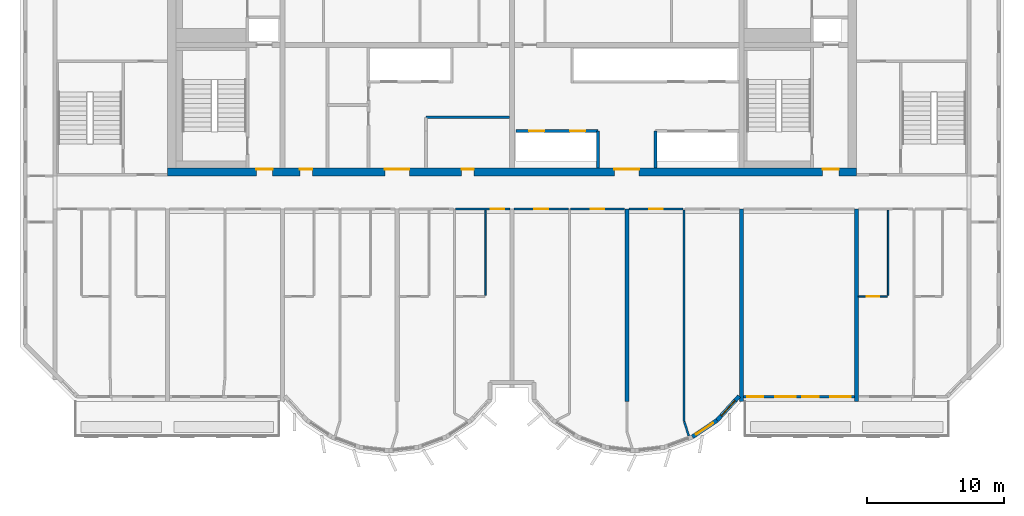
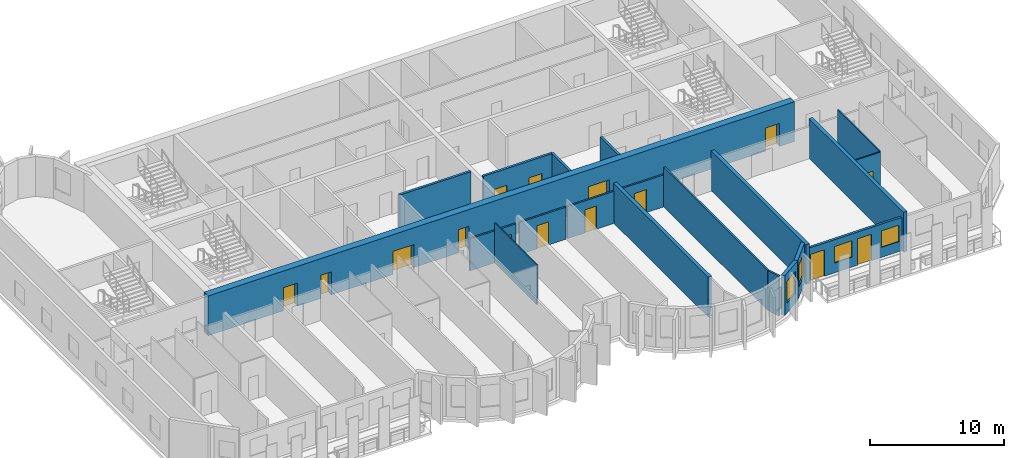
# One storey, part 5 of 11: 20 walls, 15 doors, 4 windows, 19 openings.
"""IFC4 building model written with IfcOpenShell, lengths in metres."""

from ifc_helpers import new_model, si_unit, direction, frame, frame_2d, origin, place, context, subcontext, project, spatial, rectangle, extrude, source, transform, mapped, material, layer, layer_set, type_object, element, fill, save


model = new_model("IFC4")

# Units and contexts
model_context = context("Model", 3, precision=1e-05, world=origin(), true_north=direction((0.0, 1.0)))
body_context = subcontext(model_context, "Body", "Model", "MODEL_VIEW")
ifc_project = project(units=[si_unit("LENGTHUNIT", "METRE"), si_unit("AREAUNIT", "SQUARE_METRE"), si_unit("VOLUMEUNIT", "CUBIC_METRE"), si_unit("PLANEANGLEUNIT", "RADIAN"), si_unit("MASSUNIT", "GRAM", prefix="KILO")], contexts=[model_context])

# Site, building, storey
site_placement = place(None, origin())
site = spatial("IfcSite", under=ifc_project, at=site_placement, CompositionType="ELEMENT")
building_placement = place(site_placement, origin())
building = spatial("IfcBuilding", under=site, at=building_placement, Name="Vanashikhar Sky Hotel", CompositionType="ELEMENT")
storey_placement = place(building_placement, frame((0.0, 0.0, 245.199951171875)))
storey = spatial("IfcBuildingStorey", under=building, at=storey_placement, Name="L59", CompositionType="ELEMENT", Elevation=245.199951171875)

# Wall, openings, doors
ifc_material_1 = material(Name="Concrete M60", Category="concrete")
ifc_layer_1 = layer(ifc_material_1, 0.60009765625)
ifc_layer_set_1 = layer_set([ifc_layer_1], Name="RC core shell wall 600 Concrete M60")
wall_type_1 = type_object("IfcWallType", Name="RC core shell wall 600 Concrete M60", PredefinedType="SHEAR", material=ifc_layer_set_1)
shared_shape_1 = source(origin(), body_context, "Body", "SweptSolid", [
    extrude(rectangle(XDim=50.400146484375, YDim=0.60009765625, at=frame_2d((25.2001953125, 0.0))), origin(), (0.0, 0.0, 1.0), 3.6201171875),
])
wall_1_placement = place(storey_placement, frame((25.199951171875, 22.300048828125, 0.0), z_axis=(0.0, 0.0, 1.0), x_axis=(1.0, 0.0, 0.0)))
wall_1 = element("IfcWall", 1, at=wall_1_placement, inside=storey, type_object=wall_type_1, Name="KW-L59-KS", PredefinedType="SHEAR", context=body_context, shape_type="MappedRepresentation", body=[
    mapped(shared_shape_1, transform((0.0, 0.0, 0.0), scale=1.0)),
])
shared_shape_2 = source(origin(), body_context, "Body", "SweptSolid", [
    extrude(rectangle(XDim=1.800048828125, YDim=2.10009765625, at=frame_2d((0.89990234375, 1.050048828125))), frame((0.0, 0.31005859375, 0.0), z_axis=(0.0, -1.0, 0.0), x_axis=(1.0, 0.0, 0.0)), (0.0, 0.0, 1.0), 0.6201171875),
])
opening_1_placement = place(wall_1_placement, frame((15.89990234375, 0.0, 0.0)))
opening_1 = element("IfcOpeningElement", 2, at=opening_1_placement, cuts=wall_1, Name="Opening DC-3-A", PredefinedType="OPENING", context=body_context, shape_type="MappedRepresentation", body=[
    mapped(shared_shape_2, transform((0.0, 0.0, 0.0), scale=1.0)),
])
shared_shape_3 = source(origin(), body_context, "Body", "SweptSolid", [
    extrude(rectangle(XDim=0.89990234375, YDim=2.10009765625, at=frame_2d((0.449951171875, 1.050048828125))), frame((0.0, 0.31005859375, 0.0), z_axis=(0.0, -1.0, 0.0), x_axis=(1.0, 0.0, 0.0)), (0.0, 0.0, 1.0), 0.6201171875),
])
opening_2_placement = place(wall_1_placement, frame((9.68701171875, 0.0, 0.0)))
opening_2 = element("IfcOpeningElement", 3, at=opening_2_placement, cuts=wall_1, Name="Opening DC-4-A", PredefinedType="OPENING", context=body_context, shape_type="MappedRepresentation", body=[
    mapped(shared_shape_3, transform((0.0, 0.0, 0.0), scale=1.0)),
])
opening_3_placement = place(wall_1_placement, frame((21.512939453125, 0.0, 0.0)))
opening_3 = element("IfcOpeningElement", 4, at=opening_3_placement, cuts=wall_1, Name="Opening DC-4-A", PredefinedType="OPENING", context=body_context, shape_type="MappedRepresentation", body=[
    mapped(shared_shape_3, transform((0.0, 0.0, 0.0), scale=1.0)),
])
opening_4_placement = place(wall_1_placement, frame((32.699951171875, 0.0, 0.0)))
opening_4 = element("IfcOpeningElement", 5, at=opening_4_placement, cuts=wall_1, Name="Opening DC-3-A", PredefinedType="OPENING", context=body_context, shape_type="MappedRepresentation", body=[
    mapped(shared_shape_2, transform((0.0, 0.0, 0.0), scale=1.0)),
])
shared_shape_4 = source(origin(), body_context, "Body", "SweptSolid", [
    extrude(rectangle(XDim=1.199951171875, YDim=2.10009765625, at=frame_2d((0.60009765625, 1.050048828125))), frame((0.0, 0.31005859375, 0.0), z_axis=(0.0, -1.0, 0.0), x_axis=(1.0, 0.0, 0.0)), (0.0, 0.0, 1.0), 0.6201171875),
])
opening_5_placement = place(wall_1_placement, frame((6.488037109375, 0.0, 0.0)))
opening_5 = element("IfcOpeningElement", 6, at=opening_5_placement, cuts=wall_1, Name="Opening DC-2", PredefinedType="OPENING", context=body_context, shape_type="MappedRepresentation", body=[
    mapped(shared_shape_4, transform((0.0, 0.0, 0.0), scale=1.0)),
])
opening_6_placement = place(wall_1_placement, frame((47.925048828125, 0.0, 0.0)))
opening_6 = element("IfcOpeningElement", 7, at=opening_6_placement, cuts=wall_1, Name="Opening DC-2", PredefinedType="OPENING", context=body_context, shape_type="MappedRepresentation", body=[
    mapped(shared_shape_4, transform((0.0, 0.0, 0.0), scale=1.0)),
])
ifc_material_2 = material(Name="Steel", Category="steel")
door_type_1 = type_object("IfcDoorType", Name="Firefighting lobby door 1200 FD120", OperationType="NOTDEFINED", PredefinedType="DOOR", material=ifc_material_2)
shared_shape_5 = source(origin(), body_context, "Body", "SweptSolid", [
    extrude(rectangle(XDim=1.199951171875, YDim=2.10009765625, at=frame_2d((0.60009765625, 1.050048828125))), frame((0.0, 0.22509765625, 0.0), z_axis=(0.0, -1.0, 0.0), x_axis=(1.0, 0.0, 0.0)), (0.0, 0.0, 1.0), 0.050048828125),
])
door_1_placement = place(opening_5_placement, origin())
door_1 = element("IfcDoor", 8, at=door_1_placement, inside=storey, type_object=door_type_1, Name="Firefighting lobby door 1200 FD120", OperationType="SINGLE_SWING_RIGHT", OverallHeight=2.10009765625, OverallWidth=1.199951171875, PredefinedType="DOOR", context=body_context, shape_type="MappedRepresentation", body=[
    mapped(shared_shape_5, transform((0.0, 0.0, 0.0), scale=1.0)),
])
fill(opening_5, door_1)
door_2_placement = place(opening_6_placement, origin())
door_2 = element("IfcDoor", 9, at=door_2_placement, inside=storey, type_object=door_type_1, Name="Firefighting lobby door 1200 FD120", OperationType="SINGLE_SWING_RIGHT", OverallHeight=2.10009765625, OverallWidth=1.199951171875, PredefinedType="DOOR", context=body_context, shape_type="MappedRepresentation", body=[
    mapped(shared_shape_5, transform((0.0, 0.0, 0.0), scale=1.0)),
])
fill(opening_6, door_2)
door_type_2 = type_object("IfcDoorType", Name="Service door 900 FD60", OperationType="NOTDEFINED", PredefinedType="DOOR", material=ifc_material_2)
shared_shape_6 = source(origin(), body_context, "Body", "SweptSolid", [
    extrude(rectangle(XDim=0.89990234375, YDim=2.10009765625, at=frame_2d((0.449951171875, 1.050048828125))), frame((0.0, 0.22509765625, 0.0), z_axis=(0.0, -1.0, 0.0), x_axis=(1.0, 0.0, 0.0)), (0.0, 0.0, 1.0), 0.050048828125),
])
door_3_placement = place(opening_2_placement, origin())
door_3 = element("IfcDoor", 10, at=door_3_placement, inside=storey, type_object=door_type_2, Name="Service door 900 FD60", OperationType="SINGLE_SWING_RIGHT", OverallHeight=2.10009765625, OverallWidth=0.89990234375, PredefinedType="DOOR", context=body_context, shape_type="MappedRepresentation", body=[
    mapped(shared_shape_6, transform((0.0, 0.0, 0.0), scale=1.0)),
])
fill(opening_2, door_3)
door_4_placement = place(opening_3_placement, origin())
door_4 = element("IfcDoor", 11, at=door_4_placement, inside=storey, type_object=door_type_2, Name="Service door 900 FD60", OperationType="SINGLE_SWING_RIGHT", OverallHeight=2.10009765625, OverallWidth=0.89990234375, PredefinedType="DOOR", context=body_context, shape_type="MappedRepresentation", body=[
    mapped(shared_shape_6, transform((0.0, 0.0, 0.0), scale=1.0)),
])
fill(opening_3, door_4)
ifc_material_3 = material(Name="Glass", Category="glass")
door_type_3 = type_object("IfcDoorType", Name="Lift lobby entrance door 1800 FD30S", OperationType="NOTDEFINED", PredefinedType="DOOR", material=ifc_material_3)
shared_shape_7 = source(origin(), body_context, "Body", "SweptSolid", [
    extrude(rectangle(XDim=1.800048828125, YDim=2.10009765625, at=frame_2d((0.89990234375, 1.050048828125))), frame((0.0, 0.22509765625, 0.0), z_axis=(0.0, -1.0, 0.0), x_axis=(1.0, 0.0, 0.0)), (0.0, 0.0, 1.0), 0.050048828125),
])
door_5_placement = place(opening_1_placement, origin())
door_5 = element("IfcDoor", 12, at=door_5_placement, inside=storey, type_object=door_type_3, Name="Lift lobby entrance door 1800 FD30S", OperationType="DOUBLE_DOOR_SINGLE_SWING", OverallHeight=2.10009765625, OverallWidth=1.800048828125, PredefinedType="DOOR", context=body_context, shape_type="MappedRepresentation", body=[
    mapped(shared_shape_7, transform((0.0, 0.0, 0.0), scale=1.0)),
])
fill(opening_1, door_5)
door_6_placement = place(opening_4_placement, origin())
door_6 = element("IfcDoor", 13, at=door_6_placement, inside=storey, type_object=door_type_3, Name="Lift lobby entrance door 1800 FD30S", OperationType="DOUBLE_DOOR_SINGLE_SWING", OverallHeight=2.10009765625, OverallWidth=1.800048828125, PredefinedType="DOOR", context=body_context, shape_type="MappedRepresentation", body=[
    mapped(shared_shape_7, transform((0.0, 0.0, 0.0), scale=1.0)),
])
fill(opening_4, door_6)

# Walls
ifc_layer_2 = layer(ifc_material_1, 0.300048828125)
ifc_layer_set_2 = layer_set([ifc_layer_2], Name="RC shear wall 300 Concrete M60")
wall_type_2 = type_object("IfcWallType", Name="RC shear wall 300 Concrete M60", PredefinedType="SHEAR", material=ifc_layer_set_2)
shared_shape_8 = source(origin(), body_context, "Body", "SweptSolid", [
    extrude(rectangle(XDim=14.10009765625, YDim=0.300048828125, at=frame_2d((7.050048828125, 0.0))), origin(), (0.0, 0.0, 1.0), 3.6201171875),
])
for number, where, z_axis, x_axis, name in (
    (14, (58.800048828125, 5.5, 0.0), (0.0, 0.0, 1.0), (0.0, 1.0, 0.0), "CW-L59-XW08-1"),
    (15, (67.199951171875, 5.5, 0.0), (0.0, 0.0, 1.0), (0.0, 1.0, 0.0), "CW-L59-XW09-1"),
    (16, (75.60009765625, 5.5, 0.0), (0.0, 0.0, 1.0), (0.0, 1.0, 0.0), "CW-L59-XW10-1"),
):
    element("IfcWall", number, at=place(storey_placement, frame(where, z_axis=z_axis, x_axis=x_axis)), inside=storey, type_object=wall_type_2, Name=name, PredefinedType="SHEAR", context=body_context, shape_type="MappedRepresentation", body=[
        mapped(shared_shape_8, transform((0.0, 0.0, 0.0), scale=1.0)),
    ])

# Wall, openings, windows, doors
ifc_material_4 = material(Name="Concrete M50", Category="concrete")
ifc_layer_3 = layer(ifc_material_4, 0.199951171875)
ifc_layer_set_3 = layer_set([ifc_layer_3], Name="Front window wall 200")
wall_type_3 = type_object("IfcWallType", Name="Front window wall 200", PredefinedType="SOLIDWALL", material=ifc_layer_set_3)
shared_shape_9 = source(origin(), body_context, "Body", "SweptSolid", [
    extrude(rectangle(XDim=8.099853515625, YDim=0.199951171875, at=frame_2d((4.0498046875, 0.0))), origin(), (0.0, 0.0, 1.0), 3.02001953125),
])
wall_2_placement = place(storey_placement, frame((67.35009765625, 5.85009765625, 0.0), z_axis=(0.0, 0.0, 1.0), x_axis=(1.0, 0.0, 0.0)))
wall_2 = element("IfcWall", 17, at=wall_2_placement, inside=storey, type_object=wall_type_3, Name="Front window wall", PredefinedType="SOLIDWALL", context=body_context, shape_type="MappedRepresentation", body=[
    mapped(shared_shape_9, transform((0.0, 0.0, 0.0), scale=1.0)),
])
shared_shape_10 = source(origin(), body_context, "Body", "SweptSolid", [
    extrude(rectangle(XDim=1.199951171875, YDim=2.39990234375, at=frame_2d((0.60009765625, 1.199951171875))), frame((0.0, 0.10986328125, 0.0), z_axis=(0.0, -1.0, 0.0), x_axis=(1.0, 0.0, 0.0)), (0.0, 0.0, 1.0), 0.219970703125),
])
opening_7_placement = place(wall_2_placement, frame((0.25, 0.0, 0.0)))
opening_7 = element("IfcOpeningElement", 18, at=opening_7_placement, cuts=wall_2, Name="Opening BD-03", PredefinedType="OPENING", context=body_context, shape_type="MappedRepresentation", body=[
    mapped(shared_shape_10, transform((0.0, 0.0, 0.0), scale=1.0)),
])
shared_shape_11 = source(origin(), body_context, "Body", "SweptSolid", [
    extrude(rectangle(XDim=1.5, YDim=1.5, at=frame_2d((0.75, 0.75))), frame((0.0, 0.10986328125, 0.0), z_axis=(0.0, -1.0, 0.0), x_axis=(1.0, 0.0, 0.0)), (0.0, 0.0, 1.0), 0.219970703125),
])
opening_8_placement = place(wall_2_placement, frame((2.300048828125, 0.0, 0.89990234375)))
opening_8 = element("IfcOpeningElement", 19, at=opening_8_placement, cuts=wall_2, Name="Opening WN-1", PredefinedType="OPENING", context=body_context, shape_type="MappedRepresentation", body=[
    mapped(shared_shape_11, transform((0.0, 0.0, 0.0), scale=1.0)),
])
opening_9_placement = place(wall_2_placement, frame((4.300048828125, 0.0, 0.0)))
opening_9 = element("IfcOpeningElement", 20, at=opening_9_placement, cuts=wall_2, Name="Opening BD-04", PredefinedType="OPENING", context=body_context, shape_type="MappedRepresentation", body=[
    mapped(shared_shape_10, transform((0.0, 0.0, 0.0), scale=1.0)),
])
opening_10_placement = place(wall_2_placement, frame((6.35009765625, 0.0, 0.89990234375)))
opening_10 = element("IfcOpeningElement", 21, at=opening_10_placement, cuts=wall_2, Name="Opening WN-1", PredefinedType="OPENING", context=body_context, shape_type="MappedRepresentation", body=[
    mapped(shared_shape_11, transform((0.0, 0.0, 0.0), scale=1.0)),
])
window_type_1 = type_object("IfcWindowType", Name="Window 1500 x 1500", PartitioningType="SINGLE_PANEL", PredefinedType="WINDOW", material=ifc_material_3)
shared_shape_12 = source(origin(), body_context, "Body", "SweptSolid", [
    extrude(rectangle(XDim=1.5, YDim=1.5, at=frame_2d((0.75, 0.75))), frame((0.0, 0.030029296875, 0.0), z_axis=(0.0, -1.0, 0.0), x_axis=(1.0, 0.0, 0.0)), (0.0, 0.0, 1.0), 0.06005859375),
])
window_1_placement = place(opening_8_placement, origin())
window_1 = element("IfcWindow", 22, at=window_1_placement, inside=storey, type_object=window_type_1, Name="Window WN-1", OverallHeight=1.5, OverallWidth=1.5, PartitioningType="SINGLE_PANEL", PredefinedType="WINDOW", context=body_context, shape_type="MappedRepresentation", body=[
    mapped(shared_shape_12, transform((0.0, 0.0, 0.0), scale=1.0)),
])
fill(opening_8, window_1)
window_2_placement = place(opening_10_placement, origin())
window_2 = element("IfcWindow", 23, at=window_2_placement, inside=storey, type_object=window_type_1, Name="Window WN-1", OverallHeight=1.5, OverallWidth=1.5, PartitioningType="SINGLE_PANEL", PredefinedType="WINDOW", context=body_context, shape_type="MappedRepresentation", body=[
    mapped(shared_shape_12, transform((0.0, 0.0, 0.0), scale=1.0)),
])
fill(opening_10, window_2)
ifc_material_5 = material(Name="Aluminium", Category="aluminium")
door_type_4 = type_object("IfcDoorType", Name="Balcony sliding door 1200 x 2400", OperationType="NOTDEFINED", PredefinedType="DOOR", material=ifc_material_5)
shared_shape_13 = source(origin(), body_context, "Body", "SweptSolid", [
    extrude(rectangle(XDim=1.199951171875, YDim=2.39990234375, at=frame_2d((0.60009765625, 1.199951171875))), frame((0.0, 0.02490234375, 0.0), z_axis=(0.0, -1.0, 0.0), x_axis=(1.0, 0.0, 0.0)), (0.0, 0.0, 1.0), 0.050048828125),
])
door_7_placement = place(opening_7_placement, origin())
door_7 = element("IfcDoor", 24, at=door_7_placement, inside=storey, type_object=door_type_4, Name="Balcony sliding door", OperationType="SLIDING_TO_LEFT", OverallHeight=2.39990234375, OverallWidth=1.199951171875, PredefinedType="DOOR", context=body_context, shape_type="MappedRepresentation", body=[
    mapped(shared_shape_13, transform((0.0, 0.0, 0.0), scale=1.0)),
])
fill(opening_7, door_7)
door_8_placement = place(opening_9_placement, origin())
door_8 = element("IfcDoor", 25, at=door_8_placement, inside=storey, type_object=door_type_4, Name="Balcony sliding door", OperationType="SLIDING_TO_RIGHT", OverallHeight=2.39990234375, OverallWidth=1.199951171875, PredefinedType="DOOR", context=body_context, shape_type="MappedRepresentation", body=[
    mapped(shared_shape_13, transform((0.0, 0.0, 0.0), scale=1.0)),
])
fill(opening_9, door_8)

# Wall, opening, window
ifc_layer_4 = layer(ifc_material_4, 0.300048828125)
ifc_layer_set_4 = layer_set([ifc_layer_4], Name="Lobe wall 300")
wall_type_4 = type_object("IfcWallType", Name="Lobe wall 300", PredefinedType="SOLIDWALL", material=ifc_layer_set_4)
shared_shape_14 = source(origin(), body_context, "Body", "SweptSolid", [
    extrude(rectangle(XDim=2.398193359375, YDim=0.300048828125, at=frame_2d((1.19921875, 0.0))), origin(), (0.0, 0.0, 1.0), 3.6201171875),
])
wall_3_placement = place(storey_placement, frame((65.404296875, 4.13134765625, 0.0), z_axis=(0.0, 0.0, 1.0), x_axis=(0.675374189419, 0.737475222815, 0.0)))
wall_3 = element("IfcWall", 26, at=wall_3_placement, inside=storey, type_object=wall_type_4, Name="Lobe wall", PredefinedType="SOLIDWALL", context=body_context, shape_type="MappedRepresentation", body=[
    mapped(shared_shape_14, transform((0.0, 0.0, 0.0), scale=1.0)),
])
shared_shape_15 = source(origin(), body_context, "Body", "SweptSolid", [
    extrude(rectangle(XDim=1.5, YDim=2.0, at=frame_2d((0.75, 1.0))), frame((0.0, 0.16015625, 0.0), z_axis=(0.0, -1.0, 0.0), x_axis=(1.0, 0.0, 0.0)), (0.0, 0.0, 1.0), 0.320068359375),
])
opening_11_placement = place(wall_3_placement, frame((0.44921875, 0.0, 0.89990234375)))
opening_11 = element("IfcOpeningElement", 27, at=opening_11_placement, cuts=wall_3, Name="Opening WN-2", PredefinedType="OPENING", context=body_context, shape_type="MappedRepresentation", body=[
    mapped(shared_shape_15, transform((0.0, 0.0, 0.0), scale=1.0)),
])
window_type_2 = type_object("IfcWindowType", Name="Lobe window 1500 x 2000", PartitioningType="SINGLE_PANEL", PredefinedType="WINDOW", material=ifc_material_3)
shared_shape_16 = source(origin(), body_context, "Body", "SweptSolid", [
    extrude(rectangle(XDim=1.5, YDim=2.0, at=frame_2d((0.75, 1.0))), frame((0.0, 0.030029296875, 0.0), z_axis=(0.0, -1.0, 0.0), x_axis=(1.0, 0.0, 0.0)), (0.0, 0.0, 1.0), 0.06005859375),
])
window_3_placement = place(opening_11_placement, origin())
window_3 = element("IfcWindow", 28, at=window_3_placement, inside=storey, type_object=window_type_2, Name="Window WN-2", OverallHeight=2.0, OverallWidth=1.5, PartitioningType="SINGLE_PANEL", PredefinedType="WINDOW", context=body_context, shape_type="MappedRepresentation", body=[
    mapped(shared_shape_16, transform((0.0, 0.0, 0.0), scale=1.0)),
])
fill(opening_11, window_3)

shared_shape_17 = source(origin(), body_context, "Body", "SweptSolid", [
    extrude(rectangle(XDim=2.17578125, YDim=0.300048828125, at=frame_2d((1.087890625, 0.0))), origin(), (0.0, 0.0, 1.0), 3.6201171875),
])
wall_4_placement = place(storey_placement, frame((63.59912109375, 2.91650390625, 0.0), z_axis=(0.0, 0.0, 1.0), x_axis=(0.829625727223, 0.558319937607, 0.0)))
wall_4 = element("IfcWall", 29, at=wall_4_placement, inside=storey, type_object=wall_type_4, Name="Lobe wall", PredefinedType="SOLIDWALL", context=body_context, shape_type="MappedRepresentation", body=[
    mapped(shared_shape_17, transform((0.0, 0.0, 0.0), scale=1.0)),
])
opening_12_placement = place(wall_4_placement, frame((0.337890625, 0.0, 0.89990234375)))
opening_12 = element("IfcOpeningElement", 30, at=opening_12_placement, cuts=wall_4, Name="Opening WN-2", PredefinedType="OPENING", context=body_context, shape_type="MappedRepresentation", body=[
    mapped(shared_shape_15, transform((0.0, 0.0, 0.0), scale=1.0)),
])
window_4_placement = place(opening_12_placement, origin())
window_4 = element("IfcWindow", 31, at=window_4_placement, inside=storey, type_object=window_type_2, Name="Window WN-2", OverallHeight=2.0, OverallWidth=1.5, PartitioningType="SINGLE_PANEL", PredefinedType="WINDOW", context=body_context, shape_type="MappedRepresentation", body=[
    mapped(shared_shape_16, transform((0.0, 0.0, 0.0), scale=1.0)),
])
fill(opening_12, window_4)

# Wall, openings, doors
ifc_material_6 = material(Name="Concrete M40", Category="concrete")
ifc_layer_5 = layer(ifc_material_6, 0.199951171875)
ifc_layer_set_5 = layer_set([ifc_layer_5], Name="Shaft wall 200")
wall_type_5 = type_object("IfcWallType", Name="Shaft wall 200", PredefinedType="SOLIDWALL", material=ifc_layer_set_5)
shared_shape_18 = source(origin(), body_context, "Body", "SweptSolid", [
    extrude(rectangle(XDim=6.0, YDim=0.199951171875, at=frame_2d((3.0, 0.0))), origin(), (0.0, 0.0, 1.0), 3.6201171875),
])
wall_5_placement = place(storey_placement, frame((56.699951171875, 25.300048828125, 0.0), z_axis=(0.0, 0.0, 1.0), x_axis=(-1.0, 0.0, 0.0)))
wall_5 = element("IfcWall", 32, at=wall_5_placement, inside=storey, type_object=wall_type_5, Name="Shaft wall 200", PredefinedType="SOLIDWALL", context=body_context, shape_type="MappedRepresentation", body=[
    mapped(shared_shape_18, transform((0.0, 0.0, 0.0), scale=1.0)),
])
shared_shape_19 = source(origin(), body_context, "Body", "SweptSolid", [
    extrude(rectangle(XDim=1.10009765625, YDim=2.10009765625, at=frame_2d((0.550048828125, 1.050048828125))), frame((0.0, 0.10986328125, 0.0), z_axis=(0.0, -1.0, 0.0), x_axis=(1.0, 0.0, 0.0)), (0.0, 0.0, 1.0), 0.219970703125),
])
opening_13_placement = place(wall_5_placement, frame((0.949951171875, 0.0, 0.0)))
opening_13 = element("IfcOpeningElement", 33, at=opening_13_placement, cuts=wall_5, Name="Opening LD", PredefinedType="OPENING", context=body_context, shape_type="MappedRepresentation", body=[
    mapped(shared_shape_19, transform((0.0, 0.0, 0.0), scale=1.0)),
])
opening_14_placement = place(wall_5_placement, frame((3.949951171875, 0.0, 0.0)))
opening_14 = element("IfcOpeningElement", 34, at=opening_14_placement, cuts=wall_5, Name="Opening LD", PredefinedType="OPENING", context=body_context, shape_type="MappedRepresentation", body=[
    mapped(shared_shape_19, transform((0.0, 0.0, 0.0), scale=1.0)),
])
ifc_material_7 = material(Name="Stainless steel", Category="steel")
door_type_5 = type_object("IfcDoorType", Name="Lift landing door 1100", OperationType="NOTDEFINED", PredefinedType="DOOR", material=ifc_material_7)
shared_shape_20 = source(origin(), body_context, "Body", "SweptSolid", [
    extrude(rectangle(XDim=1.10009765625, YDim=2.10009765625, at=frame_2d((0.550048828125, 1.050048828125))), frame((0.0, 0.02490234375, 0.0), z_axis=(0.0, -1.0, 0.0), x_axis=(1.0, 0.0, 0.0)), (0.0, 0.0, 1.0), 0.050048828125),
])
door_9_placement = place(opening_13_placement, origin())
door_9 = element("IfcDoor", 35, at=door_9_placement, inside=storey, type_object=door_type_5, Name="Lift landing door 1100", OperationType="SLIDING_TO_RIGHT", OverallHeight=2.10009765625, OverallWidth=1.10009765625, PredefinedType="DOOR", context=body_context, shape_type="MappedRepresentation", body=[
    mapped(shared_shape_20, transform((0.0, 0.0, 0.0), scale=1.0)),
])
fill(opening_13, door_9)
door_10_placement = place(opening_14_placement, origin())
door_10 = element("IfcDoor", 36, at=door_10_placement, inside=storey, type_object=door_type_5, Name="Lift landing door 1100", OperationType="SLIDING_TO_LEFT", OverallHeight=2.10009765625, OverallWidth=1.10009765625, PredefinedType="DOOR", context=body_context, shape_type="MappedRepresentation", body=[
    mapped(shared_shape_20, transform((0.0, 0.0, 0.0), scale=1.0)),
])
fill(opening_14, door_10)

# Walls
shared_shape_21 = source(origin(), body_context, "Body", "SweptSolid", [
    extrude(rectangle(XDim=2.699951171875, YDim=0.199951171875, at=frame_2d((1.35009765625, 0.0))), origin(), (0.0, 0.0, 1.0), 3.6201171875),
])
for number, where, z_axis, x_axis, name in (
    (37, (60.89990234375, 22.60009765625, 0.0), (0.0, 0.0, 1.0), (0.0, 1.0, 0.0), "Shaft wall 200"),
    (38, (56.699951171875, 22.60009765625, 0.0), (0.0, 0.0, 1.0), (0.0, 1.0, 0.0), "Shaft wall 200"),
):
    element("IfcWall", number, at=place(storey_placement, frame(where, z_axis=z_axis, x_axis=x_axis)), inside=storey, type_object=wall_type_5, Name=name, PredefinedType="SOLIDWALL", context=body_context, shape_type="MappedRepresentation", body=[
        mapped(shared_shape_21, transform((0.0, 0.0, 0.0), scale=1.0)),
    ])
ifc_material_8 = material(Name="Gypsum board partition")
ifc_layer_6 = layer(ifc_material_8, 0.14990234375)
ifc_layer_set_6 = layer_set([ifc_layer_6], Name="Service partition 150")
wall_type_6 = type_object("IfcWallType", Name="Service partition 150", PredefinedType="PARTITIONING", material=ifc_layer_set_6)
shared_shape_22 = source(origin(), body_context, "Body", "SweptSolid", [
    extrude(rectangle(XDim=6.125, YDim=0.199951171875, at=frame_2d((3.0625, 0.0))), origin(), (0.0, 0.0, 1.0), 3.6201171875),
])
wall_6_placement = place(storey_placement, frame((44.10009765625, 26.300048828125, 0.0), z_axis=(0.0, 0.0, 1.0), x_axis=(1.0, 0.0, 0.0)))
element("IfcWall", 39, at=wall_6_placement, inside=storey, type_object=wall_type_6, Name="Service partition 150", PredefinedType="PARTITIONING", context=body_context, shape_type="MappedRepresentation", body=[
    mapped(shared_shape_22, transform((0.0, 0.0, 0.0), scale=1.0)),
])

# Wall, opening, door
ifc_material_9 = material(Name="Gypsum plasterboard partition")
ifc_layer_7 = layer(ifc_material_9, 0.10009765625)
ifc_layer_set_7 = layer_set([ifc_layer_7], Name="Wet room partition 100")
wall_type_7 = type_object("IfcWallType", Name="Wet room partition 100", PredefinedType="PARTITIONING", material=ifc_layer_set_7)
shared_shape_23 = source(origin(), body_context, "Body", "SweptSolid", [
    extrude(rectangle(XDim=2.125, YDim=0.10009765625, at=frame_2d((1.0625, 0.0))), origin(), (0.0, 0.0, 1.0), 3.6201171875),
])
wall_7_placement = place(storey_placement, frame((75.75, 13.199951171875, 0.0), z_axis=(0.0, 0.0, 1.0), x_axis=(1.0, 0.0, 0.0)))
wall_7 = element("IfcWall", 40, at=wall_7_placement, inside=storey, type_object=wall_type_7, Name="W-L59-PW033", PredefinedType="PARTITIONING", context=body_context, shape_type="MappedRepresentation", body=[
    mapped(shared_shape_23, transform((0.0, 0.0, 0.0), scale=1.0)),
])
shared_shape_24 = source(origin(), body_context, "Body", "SweptSolid", [
    extrude(rectangle(XDim=0.89990234375, YDim=2.10009765625, at=frame_2d((0.449951171875, 1.050048828125))), frame((0.0, 0.06005859375, 0.0), z_axis=(0.0, -1.0, 0.0), x_axis=(1.0, 0.0, 0.0)), (0.0, 0.0, 1.0), 0.1201171875),
])
opening_15_placement = place(wall_7_placement, frame((0.612060546875, 0.0, 0.0)))
opening_15 = element("IfcOpeningElement", 41, at=opening_15_placement, cuts=wall_7, Name="Opening D-02", PredefinedType="OPENING", context=body_context, shape_type="MappedRepresentation", body=[
    mapped(shared_shape_24, transform((0.0, 0.0, 0.0), scale=1.0)),
])
ifc_material_10 = material(Name="Timber door", Category="wood")
door_type_6 = type_object("IfcDoorType", Name="Internal door 900", OperationType="NOTDEFINED", PredefinedType="DOOR", material=ifc_material_10)
shared_shape_25 = source(origin(), body_context, "Body", "SweptSolid", [
    extrude(rectangle(XDim=0.89990234375, YDim=2.10009765625, at=frame_2d((0.449951171875, 1.050048828125))), frame((0.0, 0.02490234375, 0.0), z_axis=(0.0, -1.0, 0.0), x_axis=(1.0, 0.0, 0.0)), (0.0, 0.0, 1.0), 0.050048828125),
])
door_11_placement = place(opening_15_placement, origin())
door_11 = element("IfcDoor", 42, at=door_11_placement, inside=storey, type_object=door_type_6, Name="D-L59-020", OperationType="SINGLE_SWING_RIGHT", OverallHeight=2.10009765625, OverallWidth=0.89990234375, PredefinedType="DOOR", context=body_context, shape_type="MappedRepresentation", body=[
    mapped(shared_shape_25, transform((0.0, 0.0, 0.0), scale=1.0)),
])
fill(opening_15, door_11)

# Walls
ifc_layer_8 = layer(ifc_material_9, 0.14990234375)
ifc_layer_set_8 = layer_set([ifc_layer_8], Name="Corridor and demising partition 150")
wall_type_8 = type_object("IfcWallType", Name="Corridor and demising partition 150", PredefinedType="PARTITIONING", material=ifc_layer_set_8)
shared_shape_26 = source(origin(), body_context, "Body", "SweptSolid", [
    extrude(rectangle(XDim=15.497802734375, YDim=0.14990234375, at=frame_2d((7.7490234375, 0.0))), origin(), (0.0, 0.0, 1.0), 3.6201171875),
])
wall_8_placement = place(storey_placement, frame((63.0, 4.027099609375, 0.0), z_axis=(0.0, 0.0, 1.0), x_axis=(0.0, 1.0, 0.0)))
element("IfcWall", 43, at=wall_8_placement, inside=storey, type_object=wall_type_8, Name="W-L59-PW030", PredefinedType="PARTITIONING", context=body_context, shape_type="MappedRepresentation", body=[
    mapped(shared_shape_26, transform((0.0, 0.0, 0.0), scale=1.0)),
])
shared_shape_27 = source(origin(), body_context, "Body", "SweptSolid", [
    extrude(rectangle(XDim=1.100830078125, YDim=0.14990234375, at=frame_2d((0.55029296875, 0.0))), origin(), (0.0, 0.0, 1.0), 3.6201171875),
])
wall_9_placement = place(storey_placement, frame((63.343017578125, 2.98095703125, 0.0), z_axis=(0.0, 0.0, 1.0), x_axis=(-0.311567081539, 0.950224159712, 0.0)))
element("IfcWall", 44, at=wall_9_placement, inside=storey, type_object=wall_type_8, Name="W-L59-PW030B0", PredefinedType="PARTITIONING", context=body_context, shape_type="MappedRepresentation", body=[
    mapped(shared_shape_27, transform((0.0, 0.0, 0.0), scale=1.0)),
])

# Wall, opening, door
shared_shape_28 = source(origin(), body_context, "Body", "SweptSolid", [
    extrude(rectangle(XDim=3.97509765625, YDim=0.14990234375, at=frame_2d((1.987548828125, 0.0))), origin(), (0.0, 0.0, 1.0), 2.920166015625),
])
wall_10_placement = place(storey_placement, frame((46.27490234375, 19.60009765625, 0.0), z_axis=(0.0, 0.0, 1.0), x_axis=(1.0, 0.0, 0.0)))
wall_10 = element("IfcWall", 45, at=wall_10_placement, inside=storey, type_object=wall_type_8, Name="W-L59-PW023", PredefinedType="PARTITIONING", context=body_context, shape_type="MappedRepresentation", body=[
    mapped(shared_shape_28, transform((0.0, 0.0, 0.0), scale=1.0)),
])
shared_shape_29 = source(origin(), body_context, "Body", "SweptSolid", [
    extrude(rectangle(XDim=1.0, YDim=2.10009765625, at=frame_2d((0.5, 1.050048828125))), frame((0.0, 0.0849609375, 0.0), z_axis=(0.0, -1.0, 0.0), x_axis=(1.0, 0.0, 0.0)), (0.0, 0.0, 1.0), 0.169921875),
])
opening_16_placement = place(wall_10_placement, frame((2.574951171875, 0.0, 0.0)))
opening_16 = element("IfcOpeningElement", 46, at=opening_16_placement, cuts=wall_10, Name="Opening D-01", PredefinedType="OPENING", context=body_context, shape_type="MappedRepresentation", body=[
    mapped(shared_shape_29, transform((0.0, 0.0, 0.0), scale=1.0)),
])
ifc_material_11 = material(Name="Timber fire door", Category="wood")
door_type_7 = type_object("IfcDoorType", Name="Guest entry door 1000 FD30S", OperationType="NOTDEFINED", PredefinedType="DOOR", material=ifc_material_11)
shared_shape_30 = source(origin(), body_context, "Body", "SweptSolid", [
    extrude(rectangle(XDim=1.0, YDim=2.10009765625, at=frame_2d((0.5, 1.050048828125))), frame((0.0, 0.02490234375, 0.0), z_axis=(0.0, -1.0, 0.0), x_axis=(1.0, 0.0, 0.0)), (0.0, 0.0, 1.0), 0.050048828125),
])
door_12_placement = place(opening_16_placement, origin())
door_12 = element("IfcDoor", 47, at=door_12_placement, inside=storey, type_object=door_type_7, Name="D-L59-014", OperationType="SINGLE_SWING_RIGHT", OverallHeight=2.10009765625, OverallWidth=1.0, PredefinedType="DOOR", context=body_context, shape_type="MappedRepresentation", body=[
    mapped(shared_shape_30, transform((0.0, 0.0, 0.0), scale=1.0)),
])
fill(opening_16, door_12)

wall_11_placement = place(storey_placement, frame((58.949951171875, 19.60009765625, 0.0), z_axis=(0.0, 0.0, 1.0), x_axis=(1.0, 0.0, 0.0)))
wall_11 = element("IfcWall", 48, at=wall_11_placement, inside=storey, type_object=wall_type_8, Name="W-L59-PW028", PredefinedType="PARTITIONING", context=body_context, shape_type="MappedRepresentation", body=[
    mapped(shared_shape_28, transform((0.0, 0.0, 0.0), scale=1.0)),
])
opening_17_placement = place(wall_11_placement, frame((1.487060546875, 0.0, 0.0)))
opening_17 = element("IfcOpeningElement", 49, at=opening_17_placement, cuts=wall_11, Name="Opening D-01", PredefinedType="OPENING", context=body_context, shape_type="MappedRepresentation", body=[
    mapped(shared_shape_29, transform((0.0, 0.0, 0.0), scale=1.0)),
])
door_13_placement = place(opening_17_placement, origin())
door_13 = element("IfcDoor", 50, at=door_13_placement, inside=storey, type_object=door_type_7, Name="D-L59-017", OperationType="SINGLE_SWING_LEFT", OverallHeight=2.10009765625, OverallWidth=1.0, PredefinedType="DOOR", context=body_context, shape_type="MappedRepresentation", body=[
    mapped(shared_shape_30, transform((0.0, 0.0, 0.0), scale=1.0)),
])
fill(opening_17, door_13)

shared_shape_31 = source(origin(), body_context, "Body", "SweptSolid", [
    extrude(rectangle(XDim=3.974853515625, YDim=0.14990234375, at=frame_2d((1.9873046875, 0.0))), origin(), (0.0, 0.0, 1.0), 2.920166015625),
])
wall_12_placement = place(storey_placement, frame((50.550048828125, 19.60009765625, 0.0), z_axis=(0.0, 0.0, 1.0), x_axis=(1.0, 0.0, 0.0)))
wall_12 = element("IfcWall", 51, at=wall_12_placement, inside=storey, type_object=wall_type_8, Name="W-L59-PW025", PredefinedType="PARTITIONING", context=body_context, shape_type="MappedRepresentation", body=[
    mapped(shared_shape_31, transform((0.0, 0.0, 0.0), scale=1.0)),
])
opening_18_placement = place(wall_12_placement, frame((1.487060546875, 0.0, 0.0)))
opening_18 = element("IfcOpeningElement", 52, at=opening_18_placement, cuts=wall_12, Name="Opening D-01", PredefinedType="OPENING", context=body_context, shape_type="MappedRepresentation", body=[
    mapped(shared_shape_29, transform((0.0, 0.0, 0.0), scale=1.0)),
])
door_14_placement = place(opening_18_placement, origin())
door_14 = element("IfcDoor", 53, at=door_14_placement, inside=storey, type_object=door_type_7, Name="D-L59-015", OperationType="SINGLE_SWING_LEFT", OverallHeight=2.10009765625, OverallWidth=1.0, PredefinedType="DOOR", context=body_context, shape_type="MappedRepresentation", body=[
    mapped(shared_shape_30, transform((0.0, 0.0, 0.0), scale=1.0)),
])
fill(opening_18, door_14)

wall_13_placement = place(storey_placement, frame((54.675048828125, 19.60009765625, 0.0), z_axis=(0.0, 0.0, 1.0), x_axis=(1.0, 0.0, 0.0)))
wall_13 = element("IfcWall", 54, at=wall_13_placement, inside=storey, type_object=wall_type_8, Name="W-L59-PW026", PredefinedType="PARTITIONING", context=body_context, shape_type="MappedRepresentation", body=[
    mapped(shared_shape_31, transform((0.0, 0.0, 0.0), scale=1.0)),
])
opening_19_placement = place(wall_13_placement, frame((1.488037109375, 0.0, 0.0)))
opening_19 = element("IfcOpeningElement", 55, at=opening_19_placement, cuts=wall_13, Name="Opening D-01", PredefinedType="OPENING", context=body_context, shape_type="MappedRepresentation", body=[
    mapped(shared_shape_29, transform((0.0, 0.0, 0.0), scale=1.0)),
])
door_15_placement = place(opening_19_placement, origin())
door_15 = element("IfcDoor", 56, at=door_15_placement, inside=storey, type_object=door_type_7, Name="D-L59-016", OperationType="SINGLE_SWING_RIGHT", OverallHeight=2.10009765625, OverallWidth=1.0, PredefinedType="DOOR", context=body_context, shape_type="MappedRepresentation", body=[
    mapped(shared_shape_30, transform((0.0, 0.0, 0.0), scale=1.0)),
])
fill(opening_19, door_15)

# Walls
shared_shape_32 = source(origin(), body_context, "Body", "SweptSolid", [
    extrude(rectangle(XDim=6.25, YDim=0.10009765625, at=frame_2d((3.125, 0.0))), origin(), (0.0, 0.0, 1.0), 3.6201171875),
])
for number, where, z_axis, x_axis, name in (
    (57, (48.449951171875, 13.27490234375, 0.0), (0.0, 0.0, 1.0), (0.0, 1.0, 0.0), "W-L59-PW021"),
    (58, (77.925048828125, 13.27490234375, 0.0), (0.0, 0.0, 1.0), (0.0, 1.0, 0.0), "W-L59-PW032"),
):
    element("IfcWall", number, at=place(storey_placement, frame(where, z_axis=z_axis, x_axis=x_axis)), inside=storey, type_object=wall_type_7, Name=name, PredefinedType="PARTITIONING", context=body_context, shape_type="MappedRepresentation", body=[
        mapped(shared_shape_32, transform((0.0, 0.0, 0.0), scale=1.0)),
    ])

save(model, "model.ifc")
